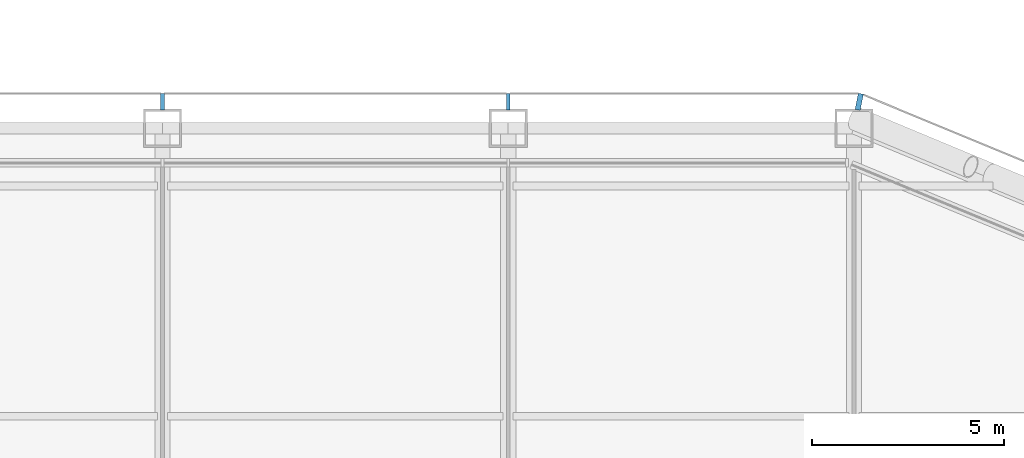
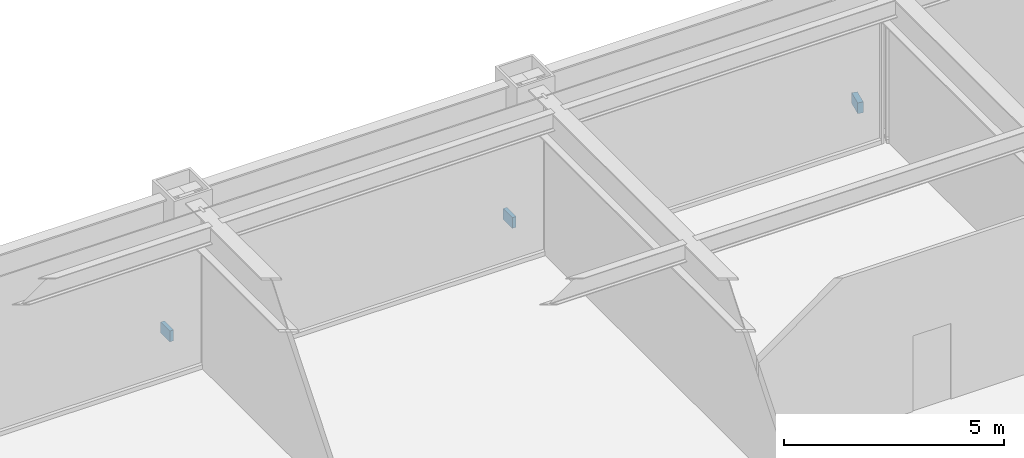
# One storey, part 22 of 28: 3 discrete accessories.
"""IFC4 building model written with IfcOpenShell, lengths in metres."""

from ifc_helpers import new_model, si_unit, direction, frame, origin, origin_2d, place, context, subcontext, project, spatial, rectangle, extrude, material, type_object, element, save


model = new_model("IFC4")

# Units and contexts
model_context = context("Model", 3, precision=1e-05, world=origin(), true_north=direction((0.0, 1.0)))
body_context = subcontext(model_context, "Body", "Model", "MODEL_VIEW")
ifc_project = project(units=[si_unit("LENGTHUNIT", "METRE"), si_unit("AREAUNIT", "SQUARE_METRE"), si_unit("VOLUMEUNIT", "CUBIC_METRE"), si_unit("PLANEANGLEUNIT", "RADIAN"), si_unit("MASSUNIT", "GRAM", prefix="KILO")], contexts=[model_context])

# Site, building, storey
site_placement = place(None, origin())
site = spatial("IfcSite", under=ifc_project, at=site_placement, CompositionType="ELEMENT")
building_placement = place(site_placement, origin())
building = spatial("IfcBuilding", under=site, at=building_placement, Name="Siwar Civic Tower", CompositionType="ELEMENT")
storey_placement = place(building_placement, frame((0.0, 0.0, 85.199951171875)))
storey = spatial("IfcBuildingStorey", under=building, at=storey_placement, Name="L18", CompositionType="ELEMENT", Elevation=85.199951171875)

# Discrete accessories
ifc_material = material(Name="Stainless steel 316", Category="steel")
discrete_accessory_type = type_object("IfcDiscreteAccessoryType", Name="ENV-BRACKET", PredefinedType="BRACKET", material=ifc_material)
for number, where, z_axis, x_axis, name in (
    (1, (13.5, 32.18994140625, -0.14990234375), (0.0, 0.0, 1.0), (0.0, 1.0, 0.0), "Bracket outer skin joint N-01"),
    (2, (4.5, 32.18994140625, -0.14990234375), (0.0, 0.0, 1.0), (0.0, 1.0, 0.0), "Bracket outer skin joint N-02"),
):
    element("IfcDiscreteAccessory", number, at=place(storey_placement, frame(where, z_axis=z_axis, x_axis=x_axis)), inside=storey, type_object=discrete_accessory_type, Name=name, PredefinedType="BRACKET", context=body_context, shape_type="SweptSolid", body=[
        extrude(rectangle(XDim=0.419921875, YDim=0.10009765625, at=origin_2d()), origin(), (0.0, 0.0, 1.0), 0.300048828125),
    ])
discrete_accessory_placement = place(storey_placement, frame((22.63720703125, 32.190185546875, -0.14990234375), z_axis=(0.0, 0.0, 1.0), x_axis=(0.195090322016, 0.980785280403, 0.0)))
element("IfcDiscreteAccessory", 3, at=discrete_accessory_placement, inside=storey, type_object=discrete_accessory_type, Name="Bracket outer skin joint V06", PredefinedType="BRACKET", context=body_context, shape_type="SweptSolid", body=[
    extrude(rectangle(XDim=0.427734375, YDim=0.13720703125, at=origin_2d()), origin(), (0.0, 0.0, 1.0), 0.300048828125),
])

save(model, "model.ifc")
